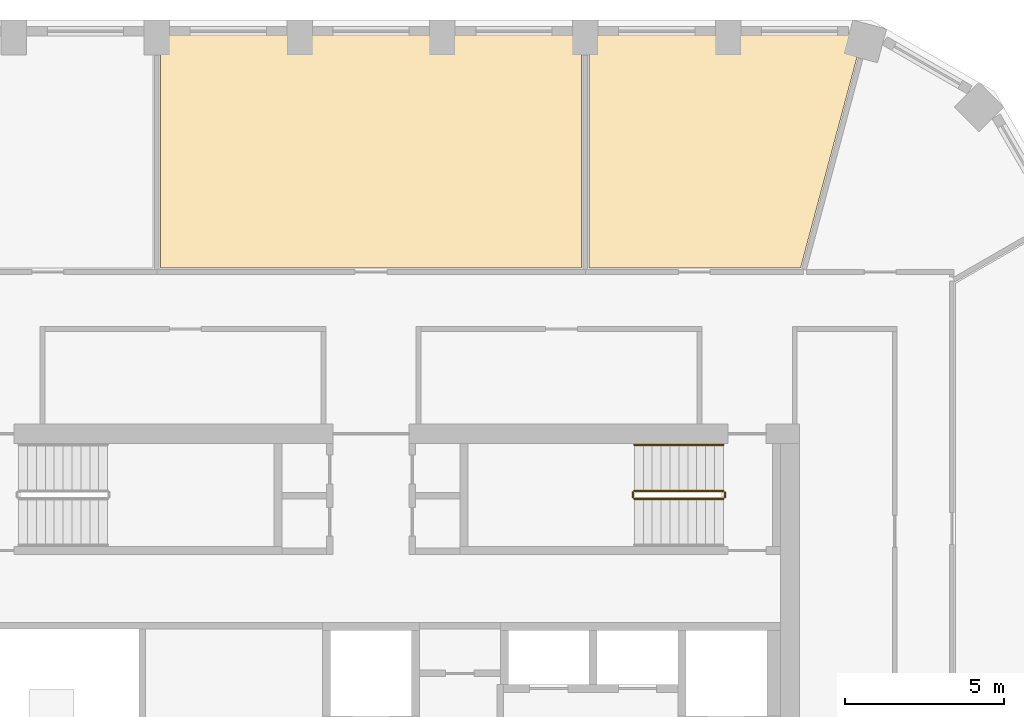
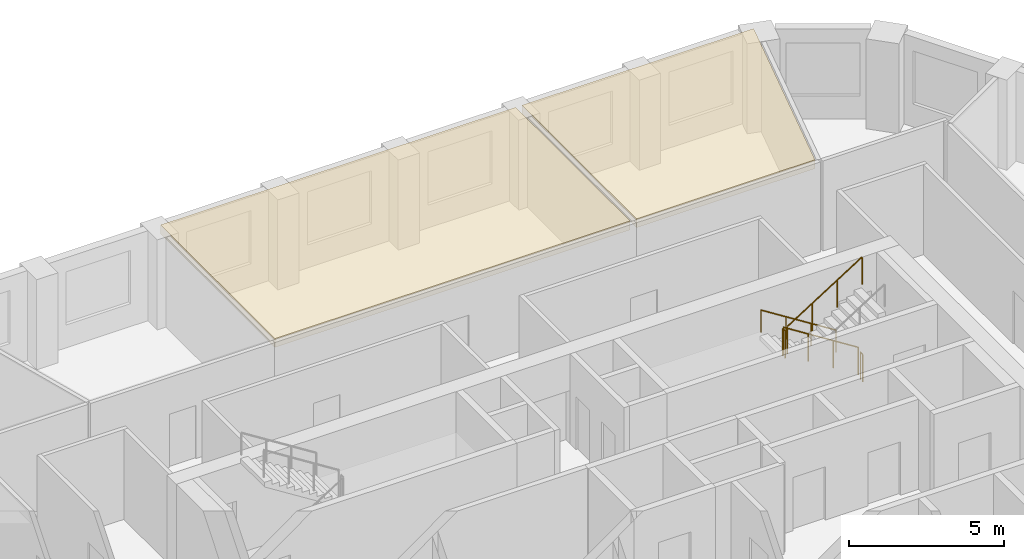
# One storey, part 12 of 13: 5 railings, 2 coverings.
"""IFC4 building model written with IfcOpenShell, lengths in metres."""

from ifc_helpers import new_model, si_unit, direction, frame, origin, origin_2d, place, context, subcontext, project, spatial, polyline, circle, outline, extrude, material, layer, layer_set, type_object, element, save


model = new_model("IFC4")

# Units and contexts
model_context = context("Model", 3, precision=1e-05, world=origin(), true_north=direction((0.0, 1.0)))
body_context = subcontext(model_context, "Body", "Model", "MODEL_VIEW")
ifc_project = project(units=[si_unit("LENGTHUNIT", "METRE"), si_unit("AREAUNIT", "SQUARE_METRE"), si_unit("VOLUMEUNIT", "CUBIC_METRE"), si_unit("PLANEANGLEUNIT", "RADIAN"), si_unit("MASSUNIT", "GRAM", prefix="KILO")], contexts=[model_context])

# Site, building, storey
site_placement = place(None, origin())
site = spatial("IfcSite", under=ifc_project, at=site_placement, CompositionType="ELEMENT")
building_placement = place(site_placement, origin())
building = spatial("IfcBuilding", under=site, at=building_placement, Name="Dhurran Vertical Campus", CompositionType="ELEMENT")
storey_placement = place(building_placement, frame((0.0, 0.0, 187.800048828125)))
storey = spatial("IfcBuildingStorey", under=building, at=storey_placement, Name="L46", CompositionType="ELEMENT", Elevation=187.800048828125)

# Railings
ifc_material_1 = material(Name="Stainless steel balustrade", Category="steel")
railing_type_1 = type_object("IfcRailingType", Name="co-RL-GUARD-1100", PredefinedType="GUARDRAIL", material=ifc_material_1)
railing_1_placement = place(storey_placement, frame((11.10009765625, 9.14990234375, 0.17724609375)))
element("IfcRailing", 1, at=railing_1_placement, inside=storey, type_object=railing_type_1, Name="L46 ST2 stair guard 1", PredefinedType="GUARDRAIL", context=body_context, shape_type="SweptSolid", body=[
    extrude(circle(Radius=0.02392578125, at=origin_2d()), frame((0.0, 0.0, 1.076171875), z_axis=(-0.844908973607, 0.0, 0.534910110503), x_axis=(0.0, -1.0, 0.0)), (0.0, 0.0, 1.0), 3.31396484375),
    extrude(circle(Radius=0.02099609375, at=origin_2d()), origin(), (0.0, 0.0, 1.0), 1.052001953125),
    extrude(circle(Radius=0.02099609375, at=origin_2d()), frame((-0.933349609375, 0.0, 0.5908203125)), (0.0, 0.0, 1.0), 1.052001953125),
    extrude(circle(Radius=0.02099609375, at=origin_2d()), frame((-1.86669921875, 0.0, 1.181884765625)), (0.0, 0.0, 1.0), 1.052001953125),
    extrude(circle(Radius=0.02099609375, at=origin_2d()), frame((-2.800048828125, 0.0, 1.772705078125)), (0.0, 0.0, 1.0), 1.052001953125),
])
railing_2_placement = place(storey_placement, frame((8.25, 9.10009765625, 1.949951171875)))
element("IfcRailing", 2, at=railing_2_placement, inside=storey, type_object=railing_type_1, Name="L46 ST2 stair guard 2", PredefinedType="GUARDRAIL", context=body_context, shape_type="SweptSolid", body=[
    extrude(circle(Radius=0.02392578125, at=origin_2d()), frame((0.0, 0.0, 1.076171875), z_axis=(0.0, -1.0, 0.0), x_axis=(1.0, 0.0, 0.0)), (0.0, 0.0, 1.0), 0.150146484375),
    extrude(circle(Radius=0.02099609375, at=origin_2d()), origin(), (0.0, 0.0, 1.0), 1.052001953125),
    extrude(circle(Radius=0.02099609375, at=origin_2d()), frame((0.0, -0.150146484375, 0.0)), (0.0, 0.0, 1.0), 1.052001953125),
])
railing_3_placement = place(storey_placement, frame((8.300048828125, 8.89990234375, 2.127197265625)))
element("IfcRailing", 3, at=railing_3_placement, inside=storey, type_object=railing_type_1, Name="L46 ST2 stair guard 3", PredefinedType="GUARDRAIL", context=body_context, shape_type="SweptSolid", body=[
    extrude(circle(Radius=0.02392578125, at=origin_2d()), frame((0.0, 0.0, 1.076171875), z_axis=(0.844908973607, 0.0, 0.534910110503), x_axis=(0.0, 1.0, 0.0)), (0.0, 0.0, 1.0), 3.31396484375),
    extrude(circle(Radius=0.02099609375, at=origin_2d()), origin(), (0.0, 0.0, 1.0), 1.052001953125),
    extrude(circle(Radius=0.02099609375, at=origin_2d()), frame((0.933349609375, 0.0, 0.5908203125)), (0.0, 0.0, 1.0), 1.052001953125),
    extrude(circle(Radius=0.02099609375, at=origin_2d()), frame((1.86669921875, 0.0, 1.181884765625)), (0.0, 0.0, 1.0), 1.052001953125),
    extrude(circle(Radius=0.02099609375, at=origin_2d()), frame((2.800048828125, 0.0, 1.772705078125)), (0.0, 0.0, 1.0), 1.052001953125),
])
railing_4_placement = place(storey_placement, frame((11.14990234375, 9.10009765625, 0.0)))
element("IfcRailing", 4, at=railing_4_placement, inside=storey, type_object=railing_type_1, Name="L46 ST2 stair guard 4", PredefinedType="GUARDRAIL", context=body_context, shape_type="SweptSolid", body=[
    extrude(circle(Radius=0.02392578125, at=origin_2d()), frame((0.0, 0.0, 1.076171875), z_axis=(0.0, -1.0, 0.0), x_axis=(1.0, 0.0, 0.0)), (0.0, 0.0, 1.0), 0.150146484375),
    extrude(circle(Radius=0.02099609375, at=origin_2d()), origin(), (0.0, 0.0, 1.0), 1.052001953125),
    extrude(circle(Radius=0.02099609375, at=origin_2d()), frame((0.0, -0.150146484375, 0.0)), (0.0, 0.0, 1.0), 1.052001953125),
])
ifc_material_2 = material(Name="Stainless steel handrail", Category="steel")
railing_type_2 = type_object("IfcRailingType", Name="co-RL-HANDRAIL-900", PredefinedType="HANDRAIL", material=ifc_material_2)
railing_5_placement = place(storey_placement, frame((11.10009765625, 10.60009765625, 0.17724609375)))
element("IfcRailing", 5, at=railing_5_placement, inside=storey, type_object=railing_type_2, Name="L46 ST2 stair handrail 1", PredefinedType="HANDRAIL", context=body_context, shape_type="SweptSolid", body=[
    extrude(circle(Radius=0.02392578125, at=origin_2d()), frame((0.0, 0.0, 0.8759765625), z_axis=(-0.844908973607, 0.0, 0.534910110503), x_axis=(0.0, -1.0, 0.0)), (0.0, 0.0, 1.0), 3.31396484375),
    extrude(circle(Radius=0.02099609375, at=origin_2d()), origin(), (0.0, 0.0, 1.0), 0.851806640625),
    extrude(circle(Radius=0.02099609375, at=origin_2d()), frame((-0.933349609375, 0.0, 0.5908203125)), (0.0, 0.0, 1.0), 0.851806640625),
    extrude(circle(Radius=0.02099609375, at=origin_2d()), frame((-1.86669921875, 0.0, 1.181884765625)), (0.0, 0.0, 1.0), 0.851806640625),
    extrude(circle(Radius=0.02099609375, at=origin_2d()), frame((-2.800048828125, 0.0, 1.772705078125)), (0.0, 0.0, 1.0), 0.851806640625),
])

# Coverings
ifc_material_3 = material(Name="Mineral fibre ceiling tiles on suspended grid")
ifc_layer = layer(ifc_material_3, 0.35009765625)
ifc_layer_set = layer_set([ifc_layer], Name="Mineral fibre ceiling tiles on suspended grid")
covering_type = type_object("IfcCoveringType", Name="fl-CE-350 suspended ceiling", PredefinedType="CEILING", material=ifc_layer_set)
covering_1_placement = place(storey_placement, frame((0.0, 0.0, 3.199951171875)))
element("IfcCovering", 6, at=covering_1_placement, inside=storey, type_object=covering_type, Name="Ceiling 46-21", PredefinedType="CEILING", context=body_context, shape_type="SweptSolid", body=[
    extrude(outline(polyline([(-6.6298828125, 23.56591796875), (6.6298828125, 23.56591796875), (6.6298828125, 16.169921875), (-6.6298828125, 16.169921875), (-6.6298828125, 23.56591796875)])), origin(), (0.0, 0.0, 1.0), 0.35009765625),
])
covering_2_placement = place(storey_placement, frame((0.0, 0.0, 3.199951171875)))
element("IfcCovering", 7, at=covering_2_placement, inside=storey, type_object=covering_type, Name="Ceiling 46-25", PredefinedType="CEILING", context=body_context, shape_type="SweptSolid", body=[
    extrude(outline(polyline([(6.8701171875, 23.56591796875), (15.513916015625, 23.56591796875), (13.531982421875, 16.169921875), (6.8701171875, 16.169921875), (6.8701171875, 23.56591796875)])), origin(), (0.0, 0.0, 1.0), 0.35009765625),
])

save(model, "model.ifc")
